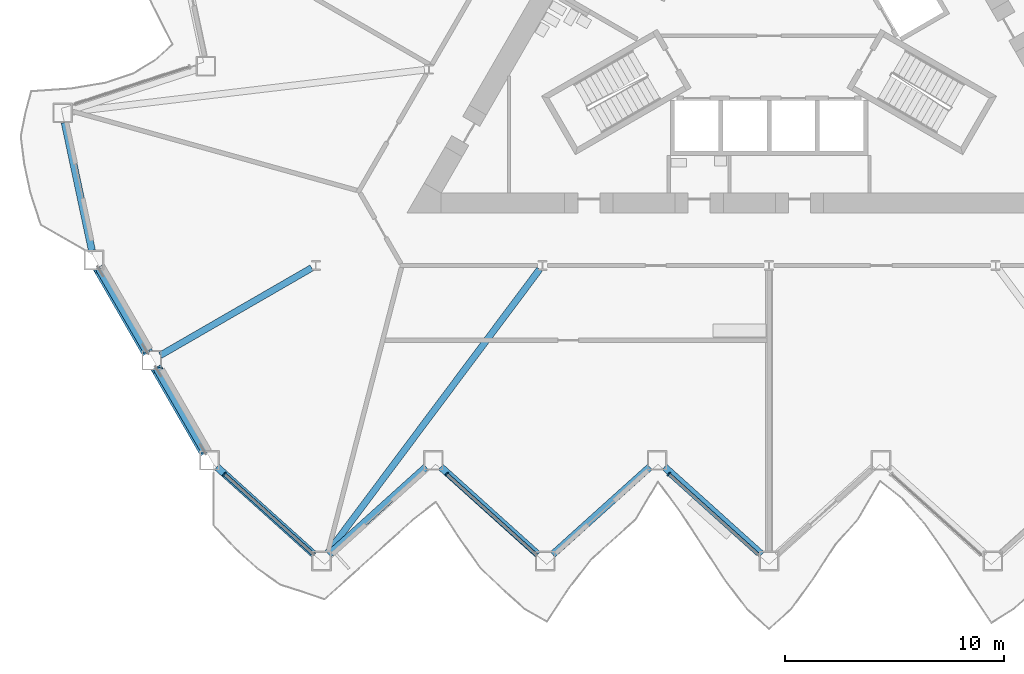
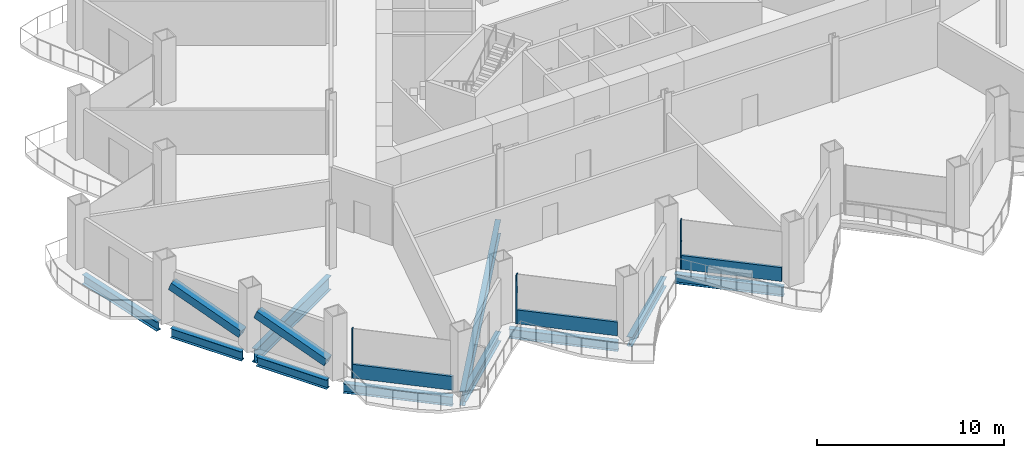
# One storey, part 3 of 21: 10 beams, 8 members, 3 elements without a shape of their own.
"""IFC4 building model written with IfcOpenShell, lengths in metres."""

from ifc_helpers import new_model, si_unit, direction, frame, origin, origin_2d, place, context, subcontext, project, spatial, rectangle, hollow_rectangle, i_section, extrude, material, layer, layer_set, material_profile, profile_set, type_object, element, aggregate, save


model = new_model("IFC4")

# Units and contexts
model_context = context("Model", 3, precision=1e-05, world=origin(), true_north=direction((0.0, 1.0)))
body_context = subcontext(model_context, "Body", "Model", "MODEL_VIEW")
ifc_project = project(units=[si_unit("LENGTHUNIT", "METRE"), si_unit("AREAUNIT", "SQUARE_METRE"), si_unit("VOLUMEUNIT", "CUBIC_METRE"), si_unit("PLANEANGLEUNIT", "RADIAN"), si_unit("MASSUNIT", "GRAM", prefix="KILO")], contexts=[model_context])

# Site, building, storey
site_placement = place(None, origin())
site = spatial("IfcSite", under=ifc_project, at=site_placement, CompositionType="ELEMENT")
building_placement = place(site_placement, origin())
building = spatial("IfcBuilding", under=site, at=building_placement, Name="Cormorant Prow Tower", CompositionType="ELEMENT")
storey_placement = place(building_placement, frame((0.0, 0.0, 137.39990234375)))
storey = spatial("IfcBuildingStorey", under=building, at=storey_placement, Name="L29", CompositionType="ELEMENT", Elevation=137.39990234375)

# Members
ifc_material_1 = material(Name="Structural steel ASTM A500 Gr C", Category="steel")
ifc_material_profile_1 = material_profile(ifc_material_1, hollow_rectangle(XDim=0.508056640625, YDim=0.508056640625, WallThickness=0.014892578125, at=origin_2d()), Name="HSS20x20x5/8")
ifc_profile_set_1 = profile_set([ifc_material_profile_1], Name="Structural steel ASTM A500 Gr C")
member_type_1 = type_object("IfcMemberType", Name="Chamfer brace HSS20x20x5/8", PredefinedType="BRACE", material=ifc_profile_set_1)
for number, where, z_axis, x_axis, name in (
    (1, (-28.368408203125, -15.83837890625, 0.776611328125), (-0.467784671838, 0.810243526908, 0.35310469821), (-0.866029868417, -0.499992266949, 0.0), "Chamfer brace BR1 at WSW00 L29"),
    (2, (-25.733642578125, -20.402099609375, 0.776611328125), (-0.467784671838, 0.810243526908, 0.35310469821), (-0.866029868417, -0.499992266949, 0.0), "Chamfer brace BR1 at WSW01 L29"),
):
    element("IfcMember", number, at=place(storey_placement, frame(where, z_axis=z_axis, x_axis=x_axis)), inside=storey, type_object=member_type_1, Name=name, PredefinedType="BRACE", context=body_context, shape_type="SweptSolid", body=[
        extrude(hollow_rectangle(XDim=0.508056640625, YDim=0.508056640625, WallThickness=0.014892578125, at=origin_2d()), origin(), (0.0, 0.0, 1.0), 4.632568359375),
    ])

# Curtain wall, member
ifc_material_2 = material(Name="Aluminium 6063-T6", Category="aluminium")
ifc_layer = layer(ifc_material_2, 0.199951171875)
ifc_layer_set = layer_set([ifc_layer], Name="Aluminium 6063-T6")
curtain_wall_type = type_object("IfcCurtainWallType", Name="Office unitised curtain wall 200", PredefinedType="NOTDEFINED", material=ifc_layer_set)
curtain_wall_1_placement = place(storey_placement, origin())
curtain_wall_1 = element("IfcCurtainWall", 3, at=curtain_wall_1_placement, inside=storey, type_object=curtain_wall_type, Name="Office curtain wall S00", PredefinedType="NOTDEFINED")
ifc_material_3 = material(Name="Aluminium 6063-T6", Category="aluminium")
ifc_material_profile_2 = material_profile(ifc_material_3, rectangle(XDim=0.199951171875, YDim=0.06005859375, at=origin_2d()), Name="Office mullion 60x200")
ifc_profile_set_2 = profile_set([ifc_material_profile_2], Name="Aluminium 6063-T6")
member_type_2 = type_object("IfcMemberType", Name="Office mullion 60x200", PredefinedType="MULLION", material=ifc_profile_set_2)
member_1_placement = place(storey_placement, frame((-24.82763671875, -21.43359375, 0.0), z_axis=(0.0, 0.0, 1.0), x_axis=(0.669130582818, 0.743144846674, 0.0)))
member_1 = element("IfcMember", 4, at=member_1_placement, type_object=member_type_2, Name="Office mullion S00", PredefinedType="MULLION", context=body_context, shape_type="SweptSolid", body=[
    extrude(rectangle(XDim=0.199951171875, YDim=0.06005859375, at=origin_2d()), origin(), (0.0, 0.0, 1.0), 3.18896484375),
])

curtain_wall_2_placement = place(storey_placement, origin())
curtain_wall_2 = element("IfcCurtainWall", 5, at=curtain_wall_2_placement, inside=storey, type_object=curtain_wall_type, Name="Office curtain wall S02", PredefinedType="NOTDEFINED")
member_2_placement = place(storey_placement, frame((-14.69873046875, -21.43359375, 0.0), z_axis=(0.0, 0.0, 1.0), x_axis=(0.66913050986, 0.743144912366, 0.0)))
member_2 = element("IfcMember", 6, at=member_2_placement, type_object=member_type_2, Name="Office mullion S02", PredefinedType="MULLION", context=body_context, shape_type="SweptSolid", body=[
    extrude(rectangle(XDim=0.199951171875, YDim=0.06005859375, at=origin_2d()), origin(), (0.0, 0.0, 1.0), 3.18896484375),
])

curtain_wall_3_placement = place(storey_placement, origin())
curtain_wall_3 = element("IfcCurtainWall", 7, at=curtain_wall_3_placement, inside=storey, type_object=curtain_wall_type, Name="Office curtain wall S04", PredefinedType="NOTDEFINED")
member_3_placement = place(storey_placement, frame((-4.569580078125, -21.43359375, 0.0), z_axis=(0.0, 0.0, 1.0), x_axis=(0.669130582818, 0.743144846674, 0.0)))
member_3 = element("IfcMember", 8, at=member_3_placement, type_object=member_type_2, Name="Office mullion S04", PredefinedType="MULLION", context=body_context, shape_type="SweptSolid", body=[
    extrude(rectangle(XDim=0.199951171875, YDim=0.06005859375, at=origin_2d()), origin(), (0.0, 0.0, 1.0), 3.18896484375),
])

# Member
ifc_material_4 = material(Name="Terracotta", Category="masonry")
ifc_material_profile_3 = material_profile(ifc_material_4, rectangle(XDim=0.159912109375, YDim=0.89990234375, at=origin_2d()), Name="Office terracotta spandrel rail 160x900")
ifc_profile_set_3 = profile_set([ifc_material_profile_3], Name="Terracotta")
member_type_3 = type_object("IfcMemberType", Name="Office terracotta spandrel rail 160x900", PredefinedType="USERDEFINED", material=ifc_profile_set_3)
member_4_placement = place(storey_placement, frame((-24.805419921875, -21.453857421875, 0.4501953125), z_axis=(0.743161287597, -0.669112322871, 0.0), x_axis=(0.669112322871, 0.743161287597, 0.0)))
member_4 = element("IfcMember", 9, at=member_4_placement, type_object=member_type_3, Name="Office spandrel rail S00", ObjectType="TRANSOM", PredefinedType="USERDEFINED", context=body_context, shape_type="SweptSolid", body=[
    extrude(rectangle(XDim=0.159912109375, YDim=0.89990234375, at=origin_2d()), origin(), (0.0, 0.0, 1.0), 5.48291015625),
])

aggregate(curtain_wall_1, [member_1, member_4])

member_5_placement = place(storey_placement, frame((-14.67626953125, -21.453857421875, 0.4501953125), z_axis=(0.743161287597, -0.669112322871, 0.0), x_axis=(0.669112322871, 0.743161287597, 0.0)))
member_5 = element("IfcMember", 10, at=member_5_placement, type_object=member_type_3, Name="Office spandrel rail S02", ObjectType="TRANSOM", PredefinedType="USERDEFINED", context=body_context, shape_type="SweptSolid", body=[
    extrude(rectangle(XDim=0.159912109375, YDim=0.89990234375, at=origin_2d()), origin(), (0.0, 0.0, 1.0), 5.48291015625),
])

aggregate(curtain_wall_2, [member_2, member_5])

member_6_placement = place(storey_placement, frame((-4.54736328125, -21.453857421875, 0.4501953125), z_axis=(0.743161287597, -0.669112322871, 0.0), x_axis=(0.669112322871, 0.743161287597, 0.0)))
member_6 = element("IfcMember", 11, at=member_6_placement, type_object=member_type_3, Name="Office spandrel rail S04", ObjectType="TRANSOM", PredefinedType="USERDEFINED", context=body_context, shape_type="SweptSolid", body=[
    extrude(rectangle(XDim=0.159912109375, YDim=0.89990234375, at=origin_2d()), origin(), (0.0, 0.0, 1.0), 5.48291015625),
])

aggregate(curtain_wall_3, [member_3, member_6])

# Beams
ifc_material_5 = material(Name="Structural steel ASTM A992 Gr 50", Category="steel")
ifc_material_profile_4 = material_profile(ifc_material_5, i_section(OverallWidth=0.3046875, OverallDepth=0.914794921875, WebThickness=0.0166015625, FlangeThickness=0.02587890625, at=origin_2d()), Name="W36x160")
ifc_profile_set_4 = profile_set([ifc_material_profile_4], Name="Structural steel ASTM A992 Gr 50")
beam_type_1 = type_object("IfcBeamType", Name="Radial floor beam W36x160", PredefinedType="BEAM", material=ifc_profile_set_4)
beam_1_placement = place(storey_placement, frame((-20.84521484375, -12.034912109375, -0.857177734375), z_axis=(-0.866018715534, -0.50001158421, 0.0), x_axis=(0.50001158421, -0.866018715534, 0.0)))
element("IfcBeam", 12, at=beam_1_placement, inside=storey, type_object=beam_type_1, Name="Radial floor beam FB1 5 L29", PredefinedType="BEAM", context=body_context, shape_type="SweptSolid", body=[
    extrude(i_section(OverallWidth=0.3046875, OverallDepth=0.914794921875, WebThickness=0.0166015625, FlangeThickness=0.02587890625, at=origin_2d()), origin(), (0.0, 0.0, 1.0), 7.967041015625),
])
beam_2_placement = place(storey_placement, frame((-10.458740234375, -12.100341796875, -0.857177734375), z_axis=(-0.598722444929, -0.800956574315, 0.0), x_axis=(0.800956574315, -0.598722444929, 0.0)))
element("IfcBeam", 13, at=beam_2_placement, inside=storey, type_object=beam_type_1, Name="Radial floor beam FB1 6 L29", PredefinedType="BEAM", context=body_context, shape_type="SweptSolid", body=[
    extrude(i_section(OverallWidth=0.3046875, OverallDepth=0.914794921875, WebThickness=0.0166015625, FlangeThickness=0.02587890625, at=origin_2d()), origin(), (0.0, 0.0, 1.0), 16.15380859375),
])
ifc_material_6 = material(Name="Structural steel ASTM A992 Gr 50", Category="steel")
ifc_material_profile_5 = material_profile(ifc_material_6, i_section(OverallWidth=0.32373046875, OverallDepth=0.611083984375, WebThickness=0.0126953125, FlangeThickness=0.01904296875, at=origin_2d()), Name="W24x104")
ifc_profile_set_5 = profile_set([ifc_material_profile_5], Name="Structural steel ASTM A992 Gr 50")
beam_type_2 = type_object("IfcBeamType", Name="Spandrel beam W24x104", PredefinedType="SPANDREL", material=ifc_profile_set_5)
for number, where, z_axis, x_axis, name in (
    (14, (-25.165283203125, -21.108154296875, -0.70556640625), (0.743131253571, -0.66914567918, 0.0), (0.66914567918, 0.743131253571, 0.0), "Spandrel beam SB1 S00-S01 L29"),
    (15, (-20.0654296875, -25.09814453125, -0.70556640625), (0.743131253571, 0.66914567918, 0.0), (-0.66914567918, 0.743131253571, 0.0), "Spandrel beam SB1 S01-S02 L29"),
    (16, (-14.96533203125, -21.108154296875, -0.70556640625), (0.743131253571, -0.66914567918, 0.0), (0.66914567918, 0.743131253571, 0.0), "Spandrel beam SB1 S02-S03 L29"),
    (17, (-9.865478515625, -25.09814453125, -0.70556640625), (0.743131253571, 0.66914567918, 0.0), (-0.66914567918, 0.743131253571, 0.0), "Spandrel beam SB1 S03-S04 L29"),
    (18, (-4.765625, -21.108154296875, -0.70556640625), (0.743131253571, -0.66914567918, 0.0), (0.66914567918, 0.743131253571, 0.0), "Spandrel beam SB1 S04-S05 L29"),
    (19, (-32.1025390625, -5.4072265625, -0.70556640625), (0.207912620873, -0.978147403044, 0.0), (0.978147403044, 0.207912620873, 0.0), "Spandrel beam SB1 WNW09-WSW00 L29"),
):
    element("IfcBeam", number, at=place(storey_placement, frame(where, z_axis=z_axis, x_axis=x_axis)), inside=storey, type_object=beam_type_2, Name=name, PredefinedType="SPANDREL", context=body_context, shape_type="SweptSolid", body=[
        extrude(i_section(OverallWidth=0.32373046875, OverallDepth=0.611083984375, WebThickness=0.0126953125, FlangeThickness=0.01904296875, at=origin_2d()), origin(), (0.0, 0.0, 1.0), 5.962890625),
    ])
for number, where, z_axis, x_axis, name in (
    (20, (-30.54443359375, -12.069580078125, -0.70556640625), (0.500002967982, -0.866023690213, 0.0), (0.866023690213, 0.500002967982, 0.0), "Spandrel beam SB1 WSW00-WSW01 L29"),
    (21, (-27.909423828125, -16.63330078125, -0.70556640625), (0.500002967982, -0.866023690213, 0.0), (0.866023690213, 0.500002967982, 0.0), "Spandrel beam SB1 WSW01-S00 L29"),
):
    element("IfcBeam", number, at=place(storey_placement, frame(where, z_axis=z_axis, x_axis=x_axis)), inside=storey, type_object=beam_type_2, Name=name, PredefinedType="SPANDREL", context=body_context, shape_type="SweptSolid", body=[
        extrude(i_section(OverallWidth=0.32373046875, OverallDepth=0.611083984375, WebThickness=0.0126953125, FlangeThickness=0.01904296875, at=origin_2d()), origin(), (0.0, 0.0, 1.0), 4.36962890625),
    ])

save(model, "model.ifc")
